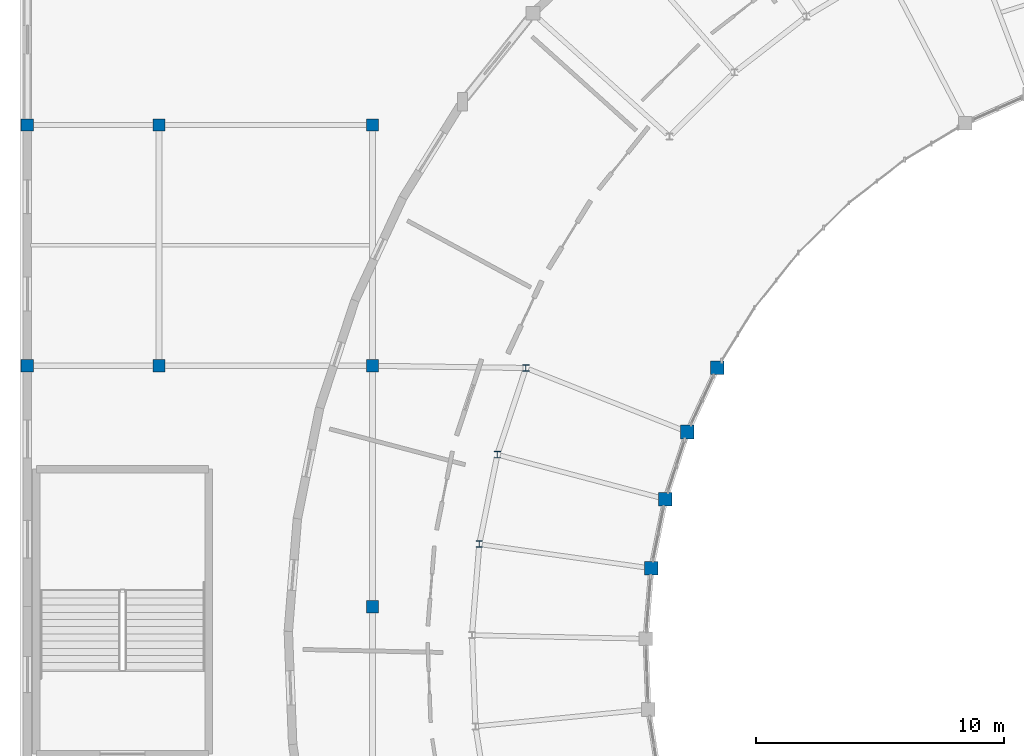
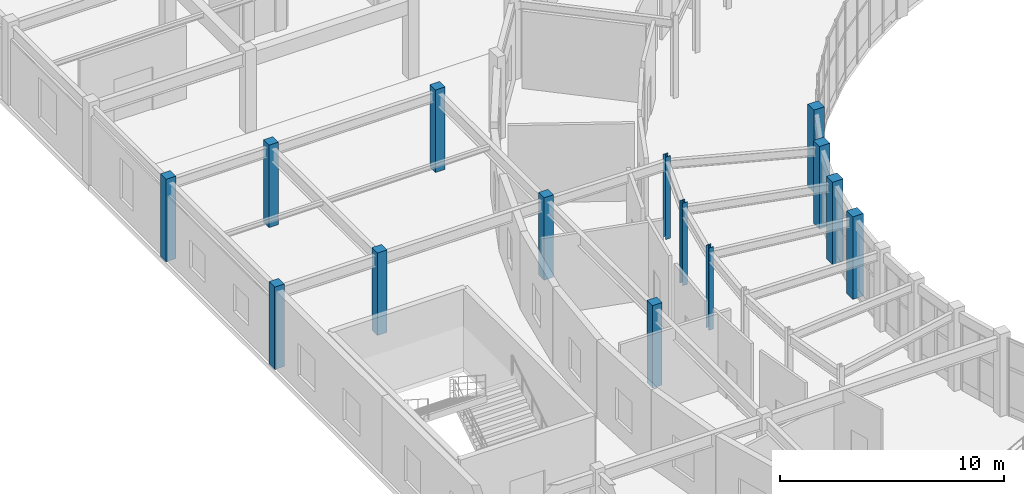
# One storey, part 11 of 112: 14 columns.
"""IFC4 building model written with IfcOpenShell, lengths in metres."""

from ifc_helpers import new_model, si_unit, direction, frame, origin, origin_2d, place, context, subcontext, project, spatial, rectangle, i_section, extrude, material, material_profile, profile_set, type_object, element, save


model = new_model("IFC4")

# Units and contexts
model_context = context("Model", 3, precision=1e-05, world=origin(), true_north=direction((0.0, 1.0)))
body_context = subcontext(model_context, "Body", "Model", "MODEL_VIEW")
ifc_project = project(units=[si_unit("LENGTHUNIT", "METRE"), si_unit("AREAUNIT", "SQUARE_METRE"), si_unit("VOLUMEUNIT", "CUBIC_METRE"), si_unit("PLANEANGLEUNIT", "RADIAN"), si_unit("MASSUNIT", "GRAM", prefix="KILO")], contexts=[model_context])

# Site, building, storey
site_placement = place(None, origin())
site = spatial("IfcSite", under=ifc_project, at=site_placement, CompositionType="ELEMENT")
building_placement = place(site_placement, origin())
building = spatial("IfcBuilding", under=site, at=building_placement, Name="Cinderbank Siding Concert Hall", CompositionType="ELEMENT")
storey_placement = place(building_placement, frame((0.0, 0.0, 10.199951171875)))
storey = spatial("IfcBuildingStorey", under=building, at=storey_placement, Name="L03", CompositionType="ELEMENT", Elevation=10.199951171875)

# Columns
ifc_material_1 = material(Name="Reinforced concrete AS 3600 N50 (50 MPa)", Category="concrete")
ifc_material_profile_1 = material_profile(ifc_material_1, rectangle(XDim=0.5, YDim=0.5, at=origin_2d()), Name="RC-COL-500x500", Category="LoadBearing")
ifc_profile_set_1 = profile_set([ifc_material_profile_1], Name="Reinforced concrete AS 3600 N50 (50 MPa)")
column_type_1 = type_object("IfcColumnType", Name="C-RC500 RC-COL-500x500", PredefinedType="COLUMN", material=ifc_profile_set_1)
for number, where, z_axis, x_axis, name in (
    (1, (7.10009765625, 79.5, 0.0), (0.0, 0.0, 1.0), (1.0, 0.0, 0.0), "L03 Column COL-WL-1-5"),
    (2, (7.10009765625, 89.199951171875, 0.0), (0.0, 0.0, 1.0), (1.0, 0.0, 0.0), "L03 Column COL-WL-1-6"),
    (3, (12.39990234375, 79.5, 0.0), (0.0, 0.0, 1.0), (1.0, 0.0, 0.0), "L03 Column COL-WL-2-5"),
    (4, (12.39990234375, 89.199951171875, 0.0), (0.0, 0.0, 1.0), (1.0, 0.0, 0.0), "L03 Column COL-WL-2-6"),
    (5, (21.0, 69.800048828125, 0.0), (0.0, 0.0, 1.0), (1.0, 0.0, 0.0), "L03 Column COL-WL-3-4"),
    (6, (21.0, 79.5, 0.0), (0.0, 0.0, 1.0), (1.0, 0.0, 0.0), "L03 Column COL-WL-3-5"),
    (7, (21.0, 89.199951171875, 0.0), (0.0, 0.0, 1.0), (1.0, 0.0, 0.0), "L03 Column COL-WL-3-6"),
):
    element("IfcColumn", number, at=place(storey_placement, frame(where, z_axis=z_axis, x_axis=x_axis)), inside=storey, type_object=column_type_1, Name=name, PredefinedType="COLUMN", context=body_context, shape_type="SweptSolid", body=[
        extrude(rectangle(XDim=0.5, YDim=0.5, at=origin_2d()), origin(), (0.0, 0.0, 1.0), 4.5),
    ])
ifc_material_profile_2 = material_profile(ifc_material_1, rectangle(XDim=0.550048828125, YDim=0.550048828125, at=origin_2d()), Name="RC-COL-550x550", Category="LoadBearing")
ifc_profile_set_2 = profile_set([ifc_material_profile_2], Name="Reinforced concrete AS 3600 N50 (50 MPa)")
column_type_2 = type_object("IfcColumnType", Name="C-RC550 RC-COL-550x550", PredefinedType="COLUMN", material=ifc_profile_set_2)
for number, where, z_axis, x_axis, name in (
    (8, (34.887939453125, 79.4150390625, 0.0), (0.0, 0.0, 1.0), (1.0, 0.0, 0.0), "L03 Column COL-WIN-08"),
    (9, (33.68505859375, 76.8349609375, 0.0), (0.0, 0.0, 1.0), (1.0, 0.0, 0.0), "L03 Column COL-WIN-09"),
    (10, (32.7958984375, 74.131103515625, 0.0), (0.0, 0.0, 1.0), (1.0, 0.0, 0.0), "L03 Column COL-WIN-10"),
    (11, (32.23388671875, 71.340087890625, 0.0), (0.0, 0.0, 1.0), (1.0, 0.0, 0.0), "L03 Column COL-WIN-11"),
):
    element("IfcColumn", number, at=place(storey_placement, frame(where, z_axis=z_axis, x_axis=x_axis)), inside=storey, type_object=column_type_2, Name=name, PredefinedType="COLUMN", context=body_context, shape_type="SweptSolid", body=[
        extrude(rectangle(XDim=0.550048828125, YDim=0.550048828125, at=origin_2d()), origin(), (0.0, 0.0, 1.0), 4.5),
    ])
ifc_material_2 = material(Name="Structural steel AS/NZS 3679.1 Grade 350 (340 MPa)", Category="steel")
ifc_material_profile_3 = material_profile(ifc_material_2, i_section(OverallWidth=0.256103515625, OverallDepth=0.260009765625, WebThickness=0.010498046875, FlangeThickness=0.017333984375, at=origin_2d()), Name="250UC89.5", Category="LoadBearing")
ifc_profile_set_3 = profile_set([ifc_material_profile_3], Name="Structural steel AS/NZS 3679.1 Grade 350 (340 MPa)")
column_type_3 = type_object("IfcColumnType", Name="C-UC250H 250UC89.5", PredefinedType="COLUMN", material=ifc_profile_set_3)
for number, where, z_axis, x_axis, name in (
    (12, (27.177001953125, 79.412109375, 0.0), (0.0, 0.0, 1.0), (1.0, 0.0, 0.0), "L03 Column COL-WMID-09"),
    (13, (26.029052734375, 75.9189453125, 0.0), (0.0, 0.0, 1.0), (1.0, 0.0, 0.0), "L03 Column COL-WMID-10"),
    (14, (25.302001953125, 72.31396484375, 0.0), (0.0, 0.0, 1.0), (1.0, 0.0, 0.0), "L03 Column COL-WMID-11"),
):
    element("IfcColumn", number, at=place(storey_placement, frame(where, z_axis=z_axis, x_axis=x_axis)), inside=storey, type_object=column_type_3, Name=name, PredefinedType="COLUMN", context=body_context, shape_type="SweptSolid", body=[
        extrude(i_section(OverallWidth=0.256103515625, OverallDepth=0.260009765625, WebThickness=0.010498046875, FlangeThickness=0.017333984375, at=origin_2d()), origin(), (0.0, 0.0, 1.0), 4.5),
    ])

save(model, "model.ifc")
